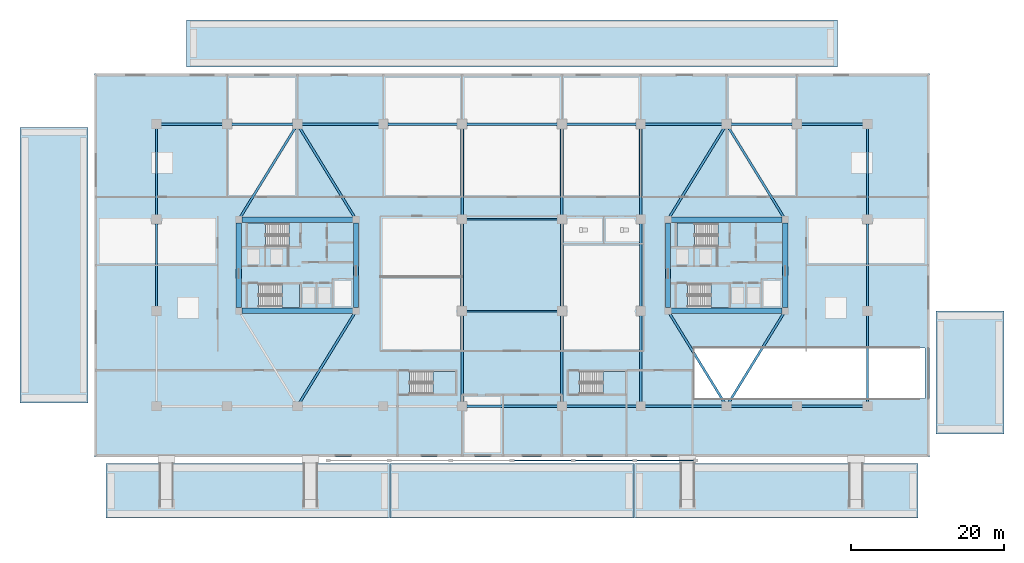
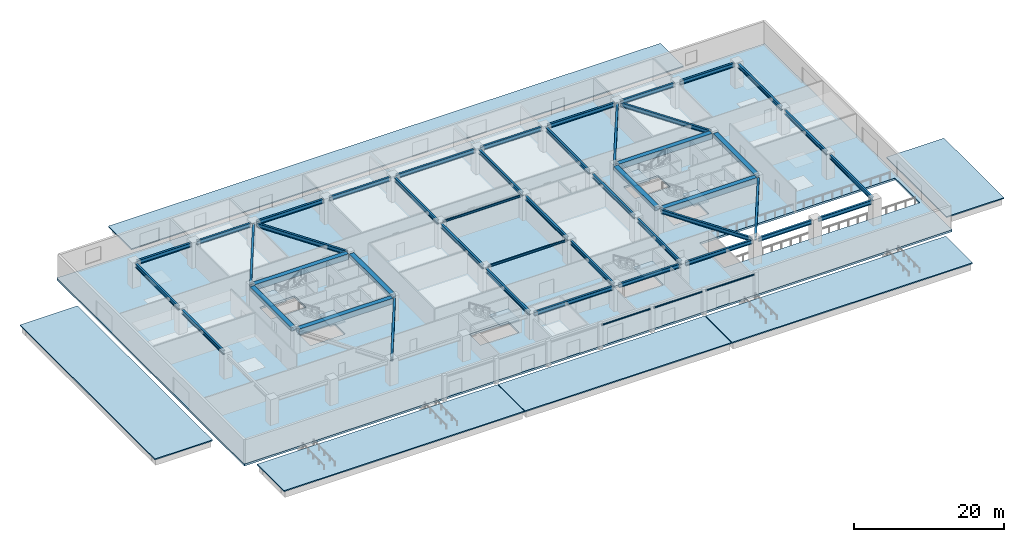
# One storey, part 2 of 22: 48 beams, 13 slabs, 6 elements without a shape of their own.
"""IFC4 building model written with IfcOpenShell, lengths in metres."""

import ifcopenshell
import ifcopenshell.guid

model = None  # the IFC model being written
_history = None  # IfcOwnerHistory: only IFC2X3 demands one
_inside = {}  # id of a spatial element -> (the spatial element, [elements in it])
_under = {}  # id of a project, library or spatial element -> (it, [spatial elements below it])
_declared = {}  # id of a project -> (the project, [libraries it declares])
_typed = {}  # id of a type object -> (the type object, [elements of that type])
_made_of = {}  # id of a material, layer set ... -> (it, [elements and type objects made of it])


def new_model(schema):
    """Start an empty IFC model of exactly this schema.

    Asked for "IFC4X3", IfcOpenShell would pick the latest addendum, in which some entities
    have other attributes; the version numbers below select the first issue.
    IFC2X3 requires an IfcOwnerHistory on every rooted entity: one is made here for all.
    """
    global model, _history
    if schema == "IFC4X3":
        model = ifcopenshell.file(schema_version=(4, 3, 0, 0))
    else:
        model = ifcopenshell.file(schema=schema)
    _inside.clear()
    _under.clear()
    _declared.clear()
    _typed.clear()
    _made_of.clear()
    _history = None
    if model.schema == "IFC2X3":
        org = make("IfcOrganization", Name="unknown")
        user = make(
            "IfcPersonAndOrganization",
            ThePerson=make("IfcPerson", FamilyName="unknown"),
            TheOrganization=org,
        )
        app = make(
            "IfcApplication",
            ApplicationDeveloper=org,
            Version="unknown",
            ApplicationFullName="unknown",
            ApplicationIdentifier="unknown",
        )
        _history = make(
            "IfcOwnerHistory",
            OwningUser=user,
            OwningApplication=app,
            ChangeAction="ADDED",
            CreationDate=0,
        )
    return model


def make(cls, **values):
    """One entity of the class cls with the attributes given. An attribute that is None is left unset."""
    return model.create_entity(
        cls, **{name: value for name, value in values.items() if value is not None}
    )


def rooted(cls, **values):
    """An entity with a GlobalId (a new one), such as an element, a storey or a relation."""
    return make(cls, GlobalId=ifcopenshell.guid.new(), OwnerHistory=_history, **values)


def si_unit(unit_type, name, prefix=None):
    """IfcSIUnit, for example si_unit("LENGTHUNIT", "METRE", prefix="MILLI")."""
    return make("IfcSIUnit", UnitType=unit_type, Prefix=prefix, Name=name)


def assignment(units):
    """IfcUnitAssignment: the units of a project."""
    return None if units is None else make("IfcUnitAssignment", Units=units)


def point(xyz):
    """IfcCartesianPoint."""
    return None if xyz is None else make("IfcCartesianPoint", Coordinates=xyz)


def direction(xyz):
    """IfcDirection."""
    return None if xyz is None else make("IfcDirection", DirectionRatios=xyz)


def frame(location, z_axis=None, x_axis=None):
    """IfcAxis2Placement3D, a coordinate frame: its origin and axes. An axis left out is left unset."""
    return make(
        "IfcAxis2Placement3D",
        Location=point(location),
        Axis=direction(z_axis),
        RefDirection=direction(x_axis),
    )


def frame_2d(location, x_axis=None):
    """IfcAxis2Placement2D, a coordinate frame in the plane: its origin and x axis."""
    return make(
        "IfcAxis2Placement2D", Location=point(location), RefDirection=direction(x_axis)
    )


def origin():
    """The frame at (0, 0, 0) with its axes left unset."""
    return frame((0.0, 0.0, 0.0))


def origin_2d():
    """The frame at (0, 0) in the plane with its x axis left unset."""
    return frame_2d((0.0, 0.0))


def place(relative_to, where):
    """IfcLocalPlacement: puts the frame where relative to a parent placement (None: the world)."""
    return make(
        "IfcLocalPlacement", PlacementRelTo=relative_to, RelativePlacement=where
    )


def context(
    kind, dimensions, precision=None, world=None, true_north=None, identifier=None
):
    """IfcGeometricRepresentationContext, for example the 3D "Model" context."""
    return make(
        "IfcGeometricRepresentationContext",
        ContextIdentifier=identifier,
        ContextType=kind,
        CoordinateSpaceDimension=dimensions,
        Precision=precision,
        WorldCoordinateSystem=world,
        TrueNorth=true_north,
    )


def subcontext(parent, identifier, kind, view, scale=None):
    """IfcGeometricRepresentationSubContext, for example "Body" below "Model"."""
    return make(
        "IfcGeometricRepresentationSubContext",
        ContextIdentifier=identifier,
        ContextType=kind,
        ParentContext=parent,
        TargetScale=scale,
        TargetView=view,
    )


def project(units=None, contexts=None):
    """IfcProject with its units and contexts."""
    return rooted(
        "IfcProject",
        Name="project",
        RepresentationContexts=contexts,
        UnitsInContext=assignment(units),
    )


def spatial(cls, under=None, at=None, **own):
    """A site, building, storey or space (cls), placed at a placement, below another one or the project."""
    s = rooted(cls, ObjectPlacement=at, **own)
    if under is not None:
        _under.setdefault(under.id(), (under, []))[1].append(s)
    return s


def polyline(points):
    """IfcPolyline through the points."""
    return make("IfcPolyline", Points=[point(p) for p in points])


def profile(cls, at=None, kind="AREA", **sizes):
    """A parametric profile (cls). Its sizes go by their IFC names, for example OverallWidth=200.0."""
    return make(cls, ProfileType=kind, Position=at, **sizes)


def rectangle(**sizes):
    """IfcRectangleProfileDef."""
    return profile("IfcRectangleProfileDef", **sizes)


def i_section(**sizes):
    """IfcIShapeProfileDef."""
    return profile("IfcIShapeProfileDef", **sizes)


def outline(outer, holes=None, kind="AREA"):
    """IfcArbitraryClosedProfileDef: a profile drawn as a closed curve; with holes, ...WithVoids."""
    if holes is None:
        return make("IfcArbitraryClosedProfileDef", ProfileType=kind, OuterCurve=outer)
    return make(
        "IfcArbitraryProfileDefWithVoids",
        ProfileType=kind,
        OuterCurve=outer,
        InnerCurves=holes,
    )


def extrude(swept, where, along, depth):
    """IfcExtrudedAreaSolid: the profile swept, set in the frame where, extruded along a direction by depth."""
    return make(
        "IfcExtrudedAreaSolid",
        SweptArea=swept,
        Position=where,
        ExtrudedDirection=direction(along),
        Depth=depth,
    )


def shape(context_of_items, identifier, shape_type, items):
    """IfcShapeRepresentation: the items that make up one representation, for example the "Body"."""
    return make(
        "IfcShapeRepresentation",
        ContextOfItems=context_of_items,
        RepresentationIdentifier=identifier,
        RepresentationType=shape_type,
        Items=items,
    )


def source(mapping_origin, context_of_items, identifier, shape_type, items):
    """IfcRepresentationMap: a shape defined once, which mapped items show again and again."""
    return make(
        "IfcRepresentationMap",
        MappingOrigin=mapping_origin,
        MappedRepresentation=shape(context_of_items, identifier, shape_type, items),
    )


def transform(
    local_origin,
    x_axis=None,
    y_axis=None,
    z_axis=None,
    scale=None,
    scale2=None,
    scale3=None,
    uniform=True,
):
    """IfcCartesianTransformationOperator3D, or its non-uniform kind. x_axis, y_axis, z_axis: its Axis1, 2, 3."""
    if uniform:
        return make(
            "IfcCartesianTransformationOperator3D",
            Axis1=direction(x_axis),
            Axis2=direction(y_axis),
            LocalOrigin=point(local_origin),
            Scale=scale,
            Axis3=direction(z_axis),
        )
    return make(
        "IfcCartesianTransformationOperator3DnonUniform",
        Axis1=direction(x_axis),
        Axis2=direction(y_axis),
        LocalOrigin=point(local_origin),
        Scale=scale,
        Axis3=direction(z_axis),
        Scale2=scale2,
        Scale3=scale3,
    )


def mapped(mapping_source, mapping_target):
    """IfcMappedItem: shows the shape of a source again, moved by a transform."""
    return make(
        "IfcMappedItem", MappingSource=mapping_source, MappingTarget=mapping_target
    )


def material(Name=None, Category=None):
    """IfcMaterial."""
    return make("IfcMaterial", Name=Name, Category=Category)


def layer(
    of_material, thickness, ventilated=None, Name=None, Category=None, Priority=None
):
    """IfcMaterialLayer: one layer of a wall or slab, of a material (None: an air gap)."""
    return make(
        "IfcMaterialLayer",
        Material=of_material,
        LayerThickness=thickness,
        IsVentilated=ventilated,
        Name=Name,
        Category=Category,
        Priority=Priority,
    )


def layer_set(layers, Name=None):
    """IfcMaterialLayerSet."""
    return make("IfcMaterialLayerSet", MaterialLayers=layers, LayerSetName=Name)


def material_profile(
    of_material, cross_section, Name=None, Category=None, Priority=None
):
    """IfcMaterialProfile: a cross section and its material."""
    return make(
        "IfcMaterialProfile",
        Name=Name,
        Material=of_material,
        Profile=cross_section,
        Priority=Priority,
        Category=Category,
    )


def profile_set(profiles, Name=None, composite=None):
    """IfcMaterialProfileSet."""
    return make(
        "IfcMaterialProfileSet",
        Name=Name,
        MaterialProfiles=profiles,
        CompositeProfile=composite,
    )


def made_of(thing, what):
    """Note that an element or type object is made of a material, layer set ...; save() writes the relation."""
    if what is not None:
        _made_of.setdefault(what.id(), (what, []))[1].append(thing)
    return thing


def type_object(cls, material=None, **own):
    """A type object (cls), such as IfcWallType, which elements share."""
    return made_of(rooted(cls, **own), material)


def type_shapes(of_type, sources):
    """Give a type object the sources (RepresentationMaps) that its elements show as mapped items."""
    of_type.RepresentationMaps = sources


def element(
    cls,
    number,
    at=None,
    inside=None,
    cuts=None,
    type_object=None,
    material=None,
    context=None,
    identifier="Body",
    shape_type=None,
    held_by="IfcProductDefinitionShape",
    body=None,
    shapes=None,
    **own,
):
    """One element of the class cls, such as IfcWall. Its Tag is "e" and its number.

    at: its placement. inside: the storey or other place that contains it. cuts: it is an
    opening in that element (IfcRelVoidsElement). A single representation is given by context,
    identifier, shape_type and body (its items); several are given by shapes. held_by: the class
    of the entity that holds the representations. save() writes the other relations.
    """
    e = rooted(cls, Tag="e%d" % number, ObjectPlacement=at, **own)
    if body is not None:
        shapes = [shape(context, identifier, shape_type, body)]
    if shapes is not None:
        e.Representation = make(held_by, Representations=shapes)
    if inside is not None:
        _inside.setdefault(inside.id(), (inside, []))[1].append(e)
    if cuts is not None:
        rooted(
            "IfcRelVoidsElement", RelatingBuildingElement=cuts, RelatedOpeningElement=e
        )
    if type_object is not None:
        _typed.setdefault(type_object.id(), (type_object, []))[1].append(e)
    return made_of(e, material)


def aggregate(whole, parts):
    """IfcRelAggregates: a whole, such as a stair, and the parts it consists of."""
    return rooted("IfcRelAggregates", RelatingObject=whole, RelatedObjects=parts)


def save(model, path):
    """Write the relations noted so far, then the file.

    IfcRelAggregates (storeys below a building ...), IfcRelContainedInSpatialStructure (elements
    in a storey), IfcRelDefinesByType, IfcRelAssociatesMaterial and IfcRelDeclares: one each for
    every whole, place, type object, material and project.
    """
    for whole, parts in _under.values():
        aggregate(whole, parts)
    for where, things in _inside.values():
        rooted(
            "IfcRelContainedInSpatialStructure",
            RelatedElements=things,
            RelatingStructure=where,
        )
    for kind, things in _typed.values():
        rooted("IfcRelDefinesByType", RelatedObjects=things, RelatingType=kind)
    for what, things in _made_of.values():
        rooted("IfcRelAssociatesMaterial", RelatedObjects=things, RelatingMaterial=what)
    for by, libraries in _declared.values():
        rooted("IfcRelDeclares", RelatingContext=by, RelatedDefinitions=libraries)
    model.write(path)


model = new_model("IFC4")

# Units and contexts
model_context = context("Model", 3, precision=1e-05, world=origin(), true_north=direction((0.0, 1.0)))
body_context = subcontext(model_context, "Body", "Model", "MODEL_VIEW")
ifc_project = project(units=[si_unit("LENGTHUNIT", "METRE"), si_unit("AREAUNIT", "SQUARE_METRE"), si_unit("VOLUMEUNIT", "CUBIC_METRE"), si_unit("PLANEANGLEUNIT", "RADIAN"), si_unit("MASSUNIT", "GRAM", prefix="KILO")], contexts=[model_context])

# Site, building, storey
site_placement = place(None, origin())
site = spatial("IfcSite", under=ifc_project, at=site_placement, CompositionType="ELEMENT")
building_placement = place(site_placement, origin())
building = spatial("IfcBuilding", under=site, at=building_placement, Name="Norrkilde Senior Care Towers", CompositionType="ELEMENT")
storey_placement = place(building_placement, origin())
storey = spatial("IfcBuildingStorey", under=building, at=storey_placement, Name="L00", CompositionType="ELEMENT", Elevation=0.0)

# Beams
ifc_material_1 = material(Name="Concrete C60/75", Category="concrete")
ifc_material_profile_1 = material_profile(ifc_material_1, rectangle(XDim=0.699951171875, YDim=0.89990234375, at=origin_2d()), Name="RC BM 700x900")
ifc_profile_set_1 = profile_set([ifc_material_profile_1], Name="Concrete C60/75")
beam_type_1 = type_object("IfcBeamType", Name="Core Coupling Girder 700x900", PredefinedType="USERDEFINED", material=ifc_profile_set_1)
shared_shape_1 = source(origin(), body_context, "Body", "SweptSolid", [
    extrude(rectangle(XDim=0.699951171875, YDim=0.89990234375, at=origin_2d()), origin(), (0.0, 0.0, 1.0), 14.43994140625),
])
type_shapes(beam_type_1, [shared_shape_1])
for number, where, z_axis, x_axis, name in (
    (1, (-35.219970703125, 5.949951171875, 3.429931640625), (1.0, 0.0, 0.0), (0.0, 1.0, 0.0), "L00 Core W N Coupling Girder"),
    (2, (-35.219970703125, -5.949951171875, 3.429931640625), (1.0, 0.0, 0.0), (0.0, 1.0, 0.0), "L00 Core W S Coupling Girder"),
    (3, (20.780029296875, 5.949951171875, 3.429931640625), (1.0, 0.0, 0.0), (0.0, 1.0, 0.0), "L00 Core E N Coupling Girder"),
    (4, (20.780029296875, -5.949951171875, 3.429931640625), (1.0, 0.0, 0.0), (0.0, 1.0, 0.0), "L00 Core E S Coupling Girder"),
):
    element("IfcBeam", number, at=place(storey_placement, frame(where, z_axis=z_axis, x_axis=x_axis)), inside=storey, type_object=beam_type_1, Name=name, ObjectType="GIRDER", PredefinedType="USERDEFINED", context=body_context, shape_type="MappedRepresentation", body=[
        mapped(shared_shape_1, transform((0.0, 0.0, 0.0), x_axis=(1.0, 0.0, 0.0), y_axis=(0.0, 1.0, 0.0), z_axis=(0.0, 0.0, 1.0), scale=1.0)),
    ])
ifc_material_profile_2 = material_profile(ifc_material_1, rectangle(XDim=0.699951171875, YDim=0.550048828125, at=origin_2d()), Name="RC BM 700x550")
ifc_profile_set_2 = profile_set([ifc_material_profile_2], Name="Concrete C60/75")
beam_type_2 = type_object("IfcBeamType", Name="Core Portal Coupling Beam 700x550", PredefinedType="USERDEFINED", material=ifc_profile_set_2)
shared_shape_2 = source(origin(), body_context, "Body", "SweptSolid", [
    extrude(rectangle(XDim=0.699951171875, YDim=0.550048828125, at=origin_2d()), origin(), (0.0, 0.0, 1.0), 11.0400390625),
])
type_shapes(beam_type_2, [shared_shape_2])
for number, where, z_axis, x_axis, name in (
    (5, (-35.64990234375, -5.52001953125, 3.60498046875), (0.0, 1.0, 0.0), (-1.0, 0.0, 0.0), "L00 Core W W Coupling Girder"),
    (6, (-20.35009765625, -5.52001953125, 3.60498046875), (0.0, 1.0, 0.0), (-1.0, 0.0, 0.0), "L00 Core W E Coupling Girder"),
    (7, (20.35009765625, -5.52001953125, 3.60498046875), (0.0, 1.0, 0.0), (-1.0, 0.0, 0.0), "L00 Core E W Coupling Girder"),
    (8, (35.64990234375, -5.52001953125, 3.60498046875), (0.0, 1.0, 0.0), (-1.0, 0.0, 0.0), "L00 Core E E Coupling Girder"),
):
    element("IfcBeam", number, at=place(storey_placement, frame(where, z_axis=z_axis, x_axis=x_axis)), inside=storey, type_object=beam_type_2, Name=name, ObjectType="GIRDER", PredefinedType="USERDEFINED", context=body_context, shape_type="MappedRepresentation", body=[
        mapped(shared_shape_2, transform((0.0, 0.0, 0.0), x_axis=(1.0, 0.0, 0.0), y_axis=(0.0, 1.0, 0.0), z_axis=(0.0, 0.0, 1.0), scale=1.0)),
    ])
ifc_material_2 = material(Name="Steel S355", Category="steel")
ifc_material_profile_3 = material_profile(ifc_material_2, i_section(OverallWidth=0.159912109375, OverallDepth=0.330078125, WebThickness=0.007568359375, FlangeThickness=0.011474609375, FilletRadius=0.01806640625, at=origin_2d()), Name="IPE 330")
ifc_profile_set_3 = profile_set([ifc_material_profile_3], Name="Steel S355")
beam_type_3 = type_object("IfcBeamType", Name="Podium Deck Joist IPE330", PredefinedType="JOIST", material=ifc_profile_set_3)
shared_shape_3 = source(origin(), body_context, "Body", "SweptSolid", [
    extrude(i_section(OverallWidth=0.159912109375, OverallDepth=0.330078125, WebThickness=0.007568359375, FlangeThickness=0.011474609375, FilletRadius=0.01806640625, at=origin_2d()), origin(), (0.0, 0.0, 1.0), 12.0),
])
type_shapes(beam_type_3, [shared_shape_3])
for number, where, z_axis, x_axis, name in (
    (9, (-6.0, -6.0, 3.715087890625), (1.0, 0.0, 0.0), (0.0, 1.0, 0.0), "L00 Podium Central Span Beam 1"),
    (10, (-6.0, 6.0, 3.715087890625), (1.0, 0.0, 0.0), (0.0, 1.0, 0.0), "L00 Podium Central Span Beam 2"),
):
    element("IfcBeam", number, at=place(storey_placement, frame(where, z_axis=z_axis, x_axis=x_axis)), inside=storey, type_object=beam_type_3, Name=name, PredefinedType="JOIST", context=body_context, shape_type="MappedRepresentation", body=[
        mapped(shared_shape_3, transform((0.0, 0.0, 0.0), x_axis=(1.0, 0.0, 0.0), y_axis=(0.0, 1.0, 0.0), z_axis=(0.0, 0.0, 1.0), scale=1.0)),
    ])
ifc_material_profile_4 = material_profile(ifc_material_2, i_section(OverallWidth=0.10009765625, OverallDepth=0.199951171875, WebThickness=0.005615234375, FlangeThickness=0.008544921875, FilletRadius=0.011962890625, at=origin_2d()), Name="IPE 200")
ifc_profile_set_4 = profile_set([ifc_material_profile_4], Name="Steel S355")
beam_type_4 = type_object("IfcBeamType", Name="Masonry Opening Lintel IPE200", PredefinedType="LINTEL", material=ifc_profile_set_4)
shared_shape_4 = source(origin(), body_context, "Body", "SweptSolid", [
    extrude(i_section(OverallWidth=0.10009765625, OverallDepth=0.199951171875, WebThickness=0.005615234375, FlangeThickness=0.008544921875, FilletRadius=0.011962890625, at=origin_2d()), origin(), (0.0, 0.0, 1.0), 7.56005859375),
])
type_shapes(beam_type_4, [shared_shape_4])
for number, where, z_axis, x_axis, name in (
    (11, (0.219970703125, -25.47998046875, 3.780029296875), (1.0, 0.0, 0.0), (0.0, 1.0, 0.0), "L00 Colonnade Portal Lintel 4"),
    (12, (8.219970703125, -25.47998046875, 3.780029296875), (1.0, 0.0, 0.0), (0.0, 1.0, 0.0), "L00 Colonnade Portal Lintel 5"),
    (13, (16.219970703125, -25.47998046875, 3.780029296875), (1.0, 0.0, 0.0), (0.0, 1.0, 0.0), "L00 Colonnade Portal Lintel 6"),
):
    element("IfcBeam", number, at=place(storey_placement, frame(where, z_axis=z_axis, x_axis=x_axis)), inside=storey, type_object=beam_type_4, Name=name, PredefinedType="LINTEL", context=body_context, shape_type="MappedRepresentation", body=[
        mapped(shared_shape_4, transform((0.0, 0.0, 0.0), x_axis=(1.0, 0.0, 0.0), y_axis=(0.0, 1.0, 0.0), z_axis=(0.0, 0.0, 1.0), scale=1.0)),
    ])
ifc_material_profile_5 = material_profile(ifc_material_2, i_section(OverallWidth=0.300048828125, OverallDepth=0.64990234375, WebThickness=0.01611328125, FlangeThickness=0.031005859375, FilletRadius=0.027099609375, at=origin_2d()), Name="HEB 650")
ifc_profile_set_5 = profile_set([ifc_material_profile_5], Name="Steel S355")
beam_type_5 = type_object("IfcBeamType", Name="Podium Primary Beam HEB650", PredefinedType="BEAM", material=ifc_profile_set_5)
shared_shape_5 = source(origin(), body_context, "Body", "SweptSolid", [
    extrude(i_section(OverallWidth=0.300048828125, OverallDepth=0.64990234375, WebThickness=0.01611328125, FlangeThickness=0.031005859375, FilletRadius=0.027099609375, at=origin_2d()), origin(), (0.0, 0.0, 1.0), 8.300048828125),
])
for number, where, z_axis, x_axis, name in (
    (14, (28.449951171875, -18.39990234375, 3.554931640625), (1.0, 0.0, 0.0), (0.0, 1.0, 0.0), "L00 Podium E-W Frame Beam 1.8"),
    (15, (37.64990234375, -18.39990234375, 3.554931640625), (1.0, 0.0, 0.0), (0.0, 1.0, 0.0), "L00 Podium E-W Frame Beam 1.9"),
    (16, (-45.949951171875, 18.39990234375, 3.554931640625), (1.0, 0.0, 0.0), (0.0, 1.0, 0.0), "L00 Podium E-W Frame Beam 2.1"),
    (17, (-36.75, 18.39990234375, 3.554931640625), (1.0, 0.0, 0.0), (0.0, 1.0, 0.0), "L00 Podium E-W Frame Beam 2.2"),
    (18, (28.449951171875, 18.39990234375, 3.554931640625), (1.0, 0.0, 0.0), (0.0, 1.0, 0.0), "L00 Podium E-W Frame Beam 2.8"),
    (19, (37.64990234375, 18.39990234375, 3.554931640625), (1.0, 0.0, 0.0), (0.0, 1.0, 0.0), "L00 Podium E-W Frame Beam 2.9"),
):
    element("IfcBeam", number, at=place(storey_placement, frame(where, z_axis=z_axis, x_axis=x_axis)), inside=storey, type_object=beam_type_5, Name=name, PredefinedType="BEAM", context=body_context, shape_type="MappedRepresentation", body=[
        mapped(shared_shape_5, transform((0.0, 0.0, 0.0), x_axis=(1.0, 0.0, 0.0), y_axis=(0.0, 1.0, 0.0), z_axis=(0.0, 0.0, 1.0), scale=1.0)),
    ])
shared_shape_6 = source(origin(), body_context, "Body", "SweptSolid", [
    extrude(i_section(OverallWidth=0.300048828125, OverallDepth=0.64990234375, WebThickness=0.01611328125, FlangeThickness=0.031005859375, FilletRadius=0.027099609375, at=origin_2d()), origin(), (0.0, 0.0, 1.0), 10.300048828125),
])
for number, where, z_axis, x_axis, name in (
    (20, (17.25, -18.39990234375, 3.554931640625), (1.0, 0.0, 0.0), (0.0, 1.0, 0.0), "L00 Podium E-W Frame Beam 1.7"),
    (21, (-27.550048828125, 18.39990234375, 3.554931640625), (1.0, 0.0, 0.0), (0.0, 1.0, 0.0), "L00 Podium E-W Frame Beam 2.3"),
    (22, (17.25, 18.39990234375, 3.554931640625), (1.0, 0.0, 0.0), (0.0, 1.0, 0.0), "L00 Podium E-W Frame Beam 2.7"),
):
    element("IfcBeam", number, at=place(storey_placement, frame(where, z_axis=z_axis, x_axis=x_axis)), inside=storey, type_object=beam_type_5, Name=name, PredefinedType="BEAM", context=body_context, shape_type="MappedRepresentation", body=[
        mapped(shared_shape_6, transform((0.0, 0.0, 0.0), x_axis=(1.0, 0.0, 0.0), y_axis=(0.0, 1.0, 0.0), z_axis=(0.0, 0.0, 1.0), scale=1.0)),
    ])
shared_shape_7 = source(origin(), body_context, "Body", "SweptSolid", [
    extrude(i_section(OverallWidth=0.300048828125, OverallDepth=0.64990234375, WebThickness=0.01611328125, FlangeThickness=0.031005859375, FilletRadius=0.027099609375, at=origin_2d()), origin(), (0.0, 0.0, 1.0), 9.400146484375),
])
for number, where, z_axis, x_axis, name in (
    (23, (6.949951171875, -18.39990234375, 3.554931640625), (1.0, 0.0, 0.0), (0.0, 1.0, 0.0), "L00 Podium E-W Frame Beam 1.6"),
    (24, (-16.35009765625, 18.39990234375, 3.554931640625), (1.0, 0.0, 0.0), (0.0, 1.0, 0.0), "L00 Podium E-W Frame Beam 2.4"),
    (25, (6.949951171875, 18.39990234375, 3.554931640625), (1.0, 0.0, 0.0), (0.0, 1.0, 0.0), "L00 Podium E-W Frame Beam 2.6"),
):
    element("IfcBeam", number, at=place(storey_placement, frame(where, z_axis=z_axis, x_axis=x_axis)), inside=storey, type_object=beam_type_5, Name=name, PredefinedType="BEAM", context=body_context, shape_type="MappedRepresentation", body=[
        mapped(shared_shape_7, transform((0.0, 0.0, 0.0), x_axis=(1.0, 0.0, 0.0), y_axis=(0.0, 1.0, 0.0), z_axis=(0.0, 0.0, 1.0), scale=1.0)),
    ])
shared_shape_8 = source(origin(), body_context, "Body", "SweptSolid", [
    extrude(i_section(OverallWidth=0.300048828125, OverallDepth=0.64990234375, WebThickness=0.01611328125, FlangeThickness=0.031005859375, FilletRadius=0.027099609375, at=origin_2d()), origin(), (0.0, 0.0, 1.0), 12.10009765625),
])
for number, where, z_axis, x_axis, name in (
    (26, (-6.050048828125, -18.39990234375, 3.554931640625), (1.0, 0.0, 0.0), (0.0, 1.0, 0.0), "L00 Podium E-W Frame Beam 1.5"),
    (27, (-6.050048828125, 18.39990234375, 3.554931640625), (1.0, 0.0, 0.0), (0.0, 1.0, 0.0), "L00 Podium E-W Frame Beam 2.5"),
):
    element("IfcBeam", number, at=place(storey_placement, frame(where, z_axis=z_axis, x_axis=x_axis)), inside=storey, type_object=beam_type_5, Name=name, PredefinedType="BEAM", context=body_context, shape_type="MappedRepresentation", body=[
        mapped(shared_shape_8, transform((0.0, 0.0, 0.0), x_axis=(1.0, 0.0, 0.0), y_axis=(0.0, 1.0, 0.0), z_axis=(0.0, 0.0, 1.0), scale=1.0)),
    ])
shared_shape_9 = source(origin(), body_context, "Body", "SweptSolid", [
    extrude(i_section(OverallWidth=0.300048828125, OverallDepth=0.64990234375, WebThickness=0.01611328125, FlangeThickness=0.031005859375, FilletRadius=0.027099609375, at=origin_2d()), origin(), (0.0, 0.0, 1.0), 11.5),
])
for number, where, z_axis, x_axis, name in (
    (28, (-46.39990234375, 6.449951171875, 3.554931640625), (0.0, 1.0, 0.0), (-1.0, 0.0, 0.0), "L00 Podium N-S Frame Beam 1.3"),
    (29, (-6.5, -17.949951171875, 3.554931640625), (0.0, 1.0, 0.0), (-1.0, 0.0, 0.0), "L00 Podium N-S Frame Beam 2.1"),
    (30, (-6.5, 6.449951171875, 3.554931640625), (0.0, 1.0, 0.0), (-1.0, 0.0, 0.0), "L00 Podium N-S Frame Beam 2.3"),
    (31, (6.5, -17.949951171875, 3.554931640625), (0.0, 1.0, 0.0), (-1.0, 0.0, 0.0), "L00 Podium N-S Frame Beam 3.1"),
    (32, (6.5, 6.449951171875, 3.554931640625), (0.0, 1.0, 0.0), (-1.0, 0.0, 0.0), "L00 Podium N-S Frame Beam 3.3"),
    (33, (16.800048828125, -17.949951171875, 3.554931640625), (0.0, 1.0, 0.0), (-1.0, 0.0, 0.0), "L00 Podium N-S Frame Beam 4.1"),
    (34, (16.800048828125, 6.449951171875, 3.554931640625), (0.0, 1.0, 0.0), (-1.0, 0.0, 0.0), "L00 Podium N-S Frame Beam 4.3"),
    (35, (46.39990234375, -17.949951171875, 3.554931640625), (0.0, 1.0, 0.0), (-1.0, 0.0, 0.0), "L00 Podium N-S Frame Beam 5.1"),
    (36, (46.39990234375, 6.449951171875, 3.554931640625), (0.0, 1.0, 0.0), (-1.0, 0.0, 0.0), "L00 Podium N-S Frame Beam 5.3"),
):
    element("IfcBeam", number, at=place(storey_placement, frame(where, z_axis=z_axis, x_axis=x_axis)), inside=storey, type_object=beam_type_5, Name=name, PredefinedType="BEAM", context=body_context, shape_type="MappedRepresentation", body=[
        mapped(shared_shape_9, transform((0.0, 0.0, 0.0), x_axis=(1.0, 0.0, 0.0), y_axis=(0.0, 1.0, 0.0), z_axis=(0.0, 0.0, 1.0), scale=1.0)),
    ])
shared_shape_10 = source(origin(), body_context, "Body", "SweptSolid", [
    extrude(i_section(OverallWidth=0.300048828125, OverallDepth=0.64990234375, WebThickness=0.01611328125, FlangeThickness=0.031005859375, FilletRadius=0.027099609375, at=origin_2d()), origin(), (0.0, 0.0, 1.0), 11.10009765625),
])
for number, where, z_axis, x_axis, name in (
    (37, (-46.39990234375, -5.550048828125, 3.554931640625), (0.0, 1.0, 0.0), (-1.0, 0.0, 0.0), "L00 Podium N-S Frame Beam 1.2"),
    (38, (-6.5, -5.550048828125, 3.554931640625), (0.0, 1.0, 0.0), (-1.0, 0.0, 0.0), "L00 Podium N-S Frame Beam 2.2"),
    (39, (6.5, -5.550048828125, 3.554931640625), (0.0, 1.0, 0.0), (-1.0, 0.0, 0.0), "L00 Podium N-S Frame Beam 3.2"),
    (40, (16.800048828125, -5.550048828125, 3.554931640625), (0.0, 1.0, 0.0), (-1.0, 0.0, 0.0), "L00 Podium N-S Frame Beam 4.2"),
    (41, (46.39990234375, -5.550048828125, 3.554931640625), (0.0, 1.0, 0.0), (-1.0, 0.0, 0.0), "L00 Podium N-S Frame Beam 5.2"),
):
    element("IfcBeam", number, at=place(storey_placement, frame(where, z_axis=z_axis, x_axis=x_axis)), inside=storey, type_object=beam_type_5, Name=name, PredefinedType="BEAM", context=body_context, shape_type="MappedRepresentation", body=[
        mapped(shared_shape_10, transform((0.0, 0.0, 0.0), x_axis=(1.0, 0.0, 0.0), y_axis=(0.0, 1.0, 0.0), z_axis=(0.0, 0.0, 1.0), scale=1.0)),
    ])
shared_shape_11 = source(origin(), body_context, "Body", "SweptSolid", [
    extrude(i_section(OverallWidth=0.300048828125, OverallDepth=0.64990234375, WebThickness=0.01611328125, FlangeThickness=0.031005859375, FilletRadius=0.027099609375, at=origin_2d()), origin(), (0.0, 0.0, 1.0), 13.742431640625),
])
type_shapes(beam_type_5, [shared_shape_5, shared_shape_6, shared_shape_7, shared_shape_8, shared_shape_9, shared_shape_10, shared_shape_11])
for number, where, z_axis, x_axis, name in (
    (42, (-27.764404296875, -18.0166015625, 3.554931640625), (0.523527368138, 0.852008858411, 0.0), (-0.852008858411, 0.523527368138, 0.0), "L00 Core W Tie Beam 2"),
    (43, (-28.235595703125, 18.0166015625, 3.554931640625), (-0.523527368138, -0.852008858411, 0.0), (0.852008858411, -0.523527368138, 0.0), "L00 Core W Tie Beam 3"),
    (44, (-27.764404296875, 18.0166015625, 3.554931640625), (0.523527368138, -0.852008858411, 0.0), (0.852008858411, 0.523527368138, 0.0), "L00 Core W Tie Beam 4"),
    (45, (27.764404296875, -18.0166015625, 3.554931640625), (-0.523527368138, 0.852008858411, 0.0), (-0.852008858411, -0.523527368138, 0.0), "L00 Core E Tie Beam 1"),
    (46, (28.235595703125, -18.0166015625, 3.554931640625), (0.523527368138, 0.852008858411, 0.0), (-0.852008858411, 0.523527368138, 0.0), "L00 Core E Tie Beam 2"),
    (47, (27.764404296875, 18.0166015625, 3.554931640625), (-0.523527368138, -0.852008858411, 0.0), (0.852008858411, -0.523527368138, 0.0), "L00 Core E Tie Beam 3"),
    (48, (28.235595703125, 18.0166015625, 3.554931640625), (0.523527368138, -0.852008858411, 0.0), (0.852008858411, 0.523527368138, 0.0), "L00 Core E Tie Beam 4"),
):
    element("IfcBeam", number, at=place(storey_placement, frame(where, z_axis=z_axis, x_axis=x_axis)), inside=storey, type_object=beam_type_5, Name=name, PredefinedType="BEAM", context=body_context, shape_type="MappedRepresentation", body=[
        mapped(shared_shape_11, transform((0.0, 0.0, 0.0), x_axis=(1.0, 0.0, 0.0), y_axis=(0.0, 1.0, 0.0), z_axis=(0.0, 0.0, 1.0), scale=1.0)),
    ])

# Slabs
ifc_material_3 = material(Name="Granite Stone Paving", Category="masonry")
ifc_layer_1 = layer(ifc_material_3, 0.179931640625)
ifc_layer_set_1 = layer_set([ifc_layer_1], Name="Granite Stone Paving")
slab_type_1 = type_object("IfcSlabType", Name="Forecourt Granite Paving Slab 180", PredefinedType="USERDEFINED", material=ifc_layer_set_1)
slab_1_placement = place(storey_placement, frame((0.0, 0.0, -0.179931640625)))
element("IfcSlab", 49, at=slab_1_placement, inside=storey, type_object=slab_type_1, Name="South Forecourt West Plaza Paving", ObjectType="PAVING", PredefinedType="USERDEFINED", context=body_context, shape_type="SweptSolid", body=[
    extrude(outline(polyline([(-53.0, -33.0), (-16.0, -33.0), (-16.0, -25.85009765625), (-53.0, -25.85009765625), (-53.0, -33.0)])), origin(), (0.0, 0.0, 1.0), 0.179931640625),
])
slab_2_placement = place(storey_placement, frame((0.0, 0.0, -0.179931640625)))
element("IfcSlab", 50, at=slab_2_placement, inside=storey, type_object=slab_type_1, Name="Main Entrance Forecourt Plaza Paving", ObjectType="PAVING", PredefinedType="USERDEFINED", context=body_context, shape_type="SweptSolid", body=[
    extrude(outline(polyline([(-15.89990234375, -33.0), (15.89990234375, -33.0), (15.89990234375, -25.85009765625), (-15.89990234375, -25.85009765625), (-15.89990234375, -33.0)])), origin(), (0.0, 0.0, 1.0), 0.179931640625),
])
slab_3_placement = place(storey_placement, frame((0.0, 0.0, -0.179931640625)))
element("IfcSlab", 51, at=slab_3_placement, inside=storey, type_object=slab_type_1, Name="South Forecourt East Plaza Paving", ObjectType="PAVING", PredefinedType="USERDEFINED", context=body_context, shape_type="SweptSolid", body=[
    extrude(outline(polyline([(16.0, -33.0), (53.0, -33.0), (53.0, -25.85009765625), (16.0, -25.85009765625), (16.0, -33.0)])), origin(), (0.0, 0.0, 1.0), 0.179931640625),
])
slab_4_placement = place(storey_placement, frame((0.0, 0.0, -0.179931640625)))
element("IfcSlab", 52, at=slab_4_placement, inside=storey, type_object=slab_type_1, Name="North Therapeutic Garden Walk Paving", ObjectType="PAVING", PredefinedType="USERDEFINED", context=body_context, shape_type="SweptSolid", body=[
    extrude(outline(polyline([(-42.5, 25.85009765625), (42.5, 25.85009765625), (42.5, 32.0), (-42.5, 32.0), (-42.5, 25.85009765625)])), origin(), (0.0, 0.0, 1.0), 0.179931640625),
])
slab_5_placement = place(storey_placement, frame((0.0, 0.0, -0.179931640625)))
element("IfcSlab", 53, at=slab_5_placement, inside=storey, type_object=slab_type_1, Name="East Vehicle Ramp Driveway Apron Paving", ObjectType="PAVING", PredefinedType="USERDEFINED", context=body_context, shape_type="SweptSolid", body=[
    extrude(outline(polyline([(55.35009765625, -22.0), (64.199951171875, -22.0), (64.199951171875, -6.0), (55.35009765625, -6.0), (55.35009765625, -22.0)])), origin(), (0.0, 0.0, 1.0), 0.179931640625),
])
slab_6_placement = place(storey_placement, frame((0.0, 0.0, -0.179931640625)))
element("IfcSlab", 54, at=slab_6_placement, inside=storey, type_object=slab_type_1, Name="West Fire and Ambulance Access Apron Paving", ObjectType="PAVING", PredefinedType="USERDEFINED", context=body_context, shape_type="SweptSolid", body=[
    extrude(outline(polyline([(-64.199951171875, -18.0), (-55.35009765625, -18.0), (-55.35009765625, 18.0), (-64.199951171875, 18.0), (-64.199951171875, -18.0)])), origin(), (0.0, 0.0, 1.0), 0.179931640625),
])
ifc_material_4 = material(Name="Concrete C50/60", Category="concrete")
ifc_layer_2 = layer(ifc_material_4, 0.320068359375)
ifc_layer_set_2 = layer_set([ifc_layer_2], Name="Concrete C50/60")
slab_type_2 = type_object("IfcSlabType", Name="Podium Clinic Floor Slab 320", PredefinedType="FLOOR", material=ifc_layer_set_2)
slab_7_placement = place(storey_placement, frame((0.0, 0.0, -0.320068359375)))
element("IfcSlab", 55, at=slab_7_placement, inside=storey, type_object=slab_type_2, Name="L00 Structural Podium Slab", PredefinedType="FLOOR", context=body_context, shape_type="SweptSolid", body=[
    extrude(outline(polyline([(54.5, 25.0), (54.5, -25.0), (-54.5, -25.0), (-54.5, 25.0), (54.5, 25.0)]), holes=[polyline([(-29.117919921875, 2.468017578125), (-29.117919921875, 5.52490234375), (-34.48193359375, 5.52490234375), (-34.48193359375, 2.468017578125), (-29.117919921875, 2.468017578125)]), polyline([(-27.718017578125, -2.468017578125), (-33.08203125, -2.468017578125), (-33.08203125, -5.52490234375), (-27.718017578125, -5.52490234375), (-27.718017578125, -2.468017578125)]), polyline([(21.51806640625, 5.52490234375), (21.51806640625, 2.468017578125), (26.882080078125, 2.468017578125), (26.882080078125, 5.52490234375), (21.51806640625, 5.52490234375)]), polyline([(22.91796875, -5.52490234375), (28.281982421875, -5.52490234375), (28.281982421875, -2.468017578125), (22.91796875, -2.468017578125), (22.91796875, -5.52490234375)]), polyline([(-13.382080078125, -13.867919921875), (-13.382080078125, -16.781982421875), (-7.41796875, -16.781982421875), (-7.41796875, -13.867919921875), (-13.382080078125, -13.867919921875)]), polyline([(14.781982421875, -13.867919921875), (8.818115234375, -13.867919921875), (8.818115234375, -16.781982421875), (14.781982421875, -16.781982421875), (14.781982421875, -13.867919921875)]), polyline([(53.89990234375, -17.39990234375), (53.89990234375, -10.800048828125), (23.800048828125, -10.800048828125), (23.800048828125, -17.39990234375), (53.89990234375, -17.39990234375)])]), origin(), (0.0, 0.0, 1.0), 0.320068359375),
])

# Stair, slab
ifc_material_5 = material(Name="Concrete C45/55", Category="concrete")
stair_type = type_object("IfcStairType", Name="Core Protected Dogleg Stair Podium 4200", PredefinedType="HALF_TURN_STAIR", material=ifc_material_5)
stair_1_placement = place(storey_placement, origin())
stair_1 = element("IfcStair", 56, at=stair_1_placement, inside=storey, type_object=stair_type, Name="L00 Protected Core Stair W1", PredefinedType="HALF_TURN_STAIR")
ifc_layer_3 = layer(ifc_material_5, 0.199951171875)
ifc_layer_set_3 = layer_set([ifc_layer_3], Name="Concrete C45/55")
slab_type_3 = type_object("IfcSlabType", Name="Stair Landing Slab 200", PredefinedType="LANDING", material=ifc_layer_set_3)
slab_8_placement = place(storey_placement, frame((0.0, 0.0, 1.89990234375)))
slab_8 = element("IfcSlab", 57, at=slab_8_placement, type_object=slab_type_3, Name="ST-W1 landing 1", PredefinedType="LANDING", context=body_context, shape_type="SweptSolid", body=[
    extrude(outline(polyline([(-32.179931640625, 5.52490234375), (-34.5, 5.52490234375), (-34.5, 2.449951171875), (-32.179931640625, 2.449951171875), (-32.179931640625, 5.52490234375)])), origin(), (0.0, 0.0, 1.0), 0.2001953125),
])
aggregate(stair_1, [slab_8])

stair_2_placement = place(storey_placement, origin())
stair_2 = element("IfcStair", 58, at=stair_2_placement, inside=storey, type_object=stair_type, Name="L00 Protected Core Stair W2", PredefinedType="HALF_TURN_STAIR")
slab_9_placement = place(storey_placement, frame((0.0, 0.0, 1.89990234375)))
slab_9 = element("IfcSlab", 59, at=slab_9_placement, type_object=slab_type_3, Name="ST-W2 landing 1", PredefinedType="LANDING", context=body_context, shape_type="SweptSolid", body=[
    extrude(outline(polyline([(-30.02001953125, -5.52490234375), (-27.699951171875, -5.52490234375), (-27.699951171875, -2.449951171875), (-30.02001953125, -2.449951171875), (-30.02001953125, -5.52490234375)])), origin(), (0.0, 0.0, 1.0), 0.2001953125),
])
aggregate(stair_2, [slab_9])

stair_3_placement = place(storey_placement, origin())
stair_3 = element("IfcStair", 60, at=stair_3_placement, inside=storey, type_object=stair_type, Name="L00 Protected Core Stair E1", PredefinedType="HALF_TURN_STAIR")
slab_10_placement = place(storey_placement, frame((0.0, 0.0, 1.89990234375)))
slab_10 = element("IfcSlab", 61, at=slab_10_placement, type_object=slab_type_3, Name="ST-E1 landing 1", PredefinedType="LANDING", context=body_context, shape_type="SweptSolid", body=[
    extrude(outline(polyline([(23.820068359375, 5.52490234375), (21.5, 5.52490234375), (21.5, 2.449951171875), (23.820068359375, 2.449951171875), (23.820068359375, 5.52490234375)])), origin(), (0.0, 0.0, 1.0), 0.2001953125),
])
aggregate(stair_3, [slab_10])

stair_4_placement = place(storey_placement, origin())
stair_4 = element("IfcStair", 62, at=stair_4_placement, inside=storey, type_object=stair_type, Name="L00 Protected Core Stair E2", PredefinedType="HALF_TURN_STAIR")
slab_11_placement = place(storey_placement, frame((0.0, 0.0, 1.89990234375)))
slab_11 = element("IfcSlab", 63, at=slab_11_placement, type_object=slab_type_3, Name="ST-E2 landing 1", PredefinedType="LANDING", context=body_context, shape_type="SweptSolid", body=[
    extrude(outline(polyline([(25.97998046875, -5.52490234375), (28.300048828125, -5.52490234375), (28.300048828125, -2.449951171875), (25.97998046875, -2.449951171875), (25.97998046875, -5.52490234375)])), origin(), (0.0, 0.0, 1.0), 0.2001953125),
])
aggregate(stair_4, [slab_11])

stair_5_placement = place(storey_placement, origin())
stair_5 = element("IfcStair", 64, at=stair_5_placement, inside=storey, type_object=stair_type, Name="L00 Podium Clinic Exit Stair P1", PredefinedType="HALF_TURN_STAIR")
slab_12_placement = place(storey_placement, frame((0.0, 0.0, 1.89990234375)))
slab_12 = element("IfcSlab", 65, at=slab_12_placement, type_object=slab_type_3, Name="ST-P1 landing 1", PredefinedType="LANDING", context=body_context, shape_type="SweptSolid", body=[
    extrude(outline(polyline([(-10.320068359375, -16.800048828125), (-7.39990234375, -16.800048828125), (-7.39990234375, -13.85009765625), (-10.320068359375, -13.85009765625), (-10.320068359375, -16.800048828125)])), origin(), (0.0, 0.0, 1.0), 0.2001953125),
])
aggregate(stair_5, [slab_12])

stair_6_placement = place(storey_placement, origin())
stair_6 = element("IfcStair", 66, at=stair_6_placement, inside=storey, type_object=stair_type, Name="L00 Podium Clinic Exit Stair P2", PredefinedType="HALF_TURN_STAIR")
slab_13_placement = place(storey_placement, frame((0.0, 0.0, 1.89990234375)))
slab_13 = element("IfcSlab", 67, at=slab_13_placement, type_object=slab_type_3, Name="ST-P2 landing 1", PredefinedType="LANDING", context=body_context, shape_type="SweptSolid", body=[
    extrude(outline(polyline([(11.8798828125, -16.800048828125), (14.800048828125, -16.800048828125), (14.800048828125, -13.85009765625), (11.8798828125, -13.85009765625), (11.8798828125, -16.800048828125)])), origin(), (0.0, 0.0, 1.0), 0.2001953125),
])
aggregate(stair_6, [slab_13])

save(model, "model.ifc")
